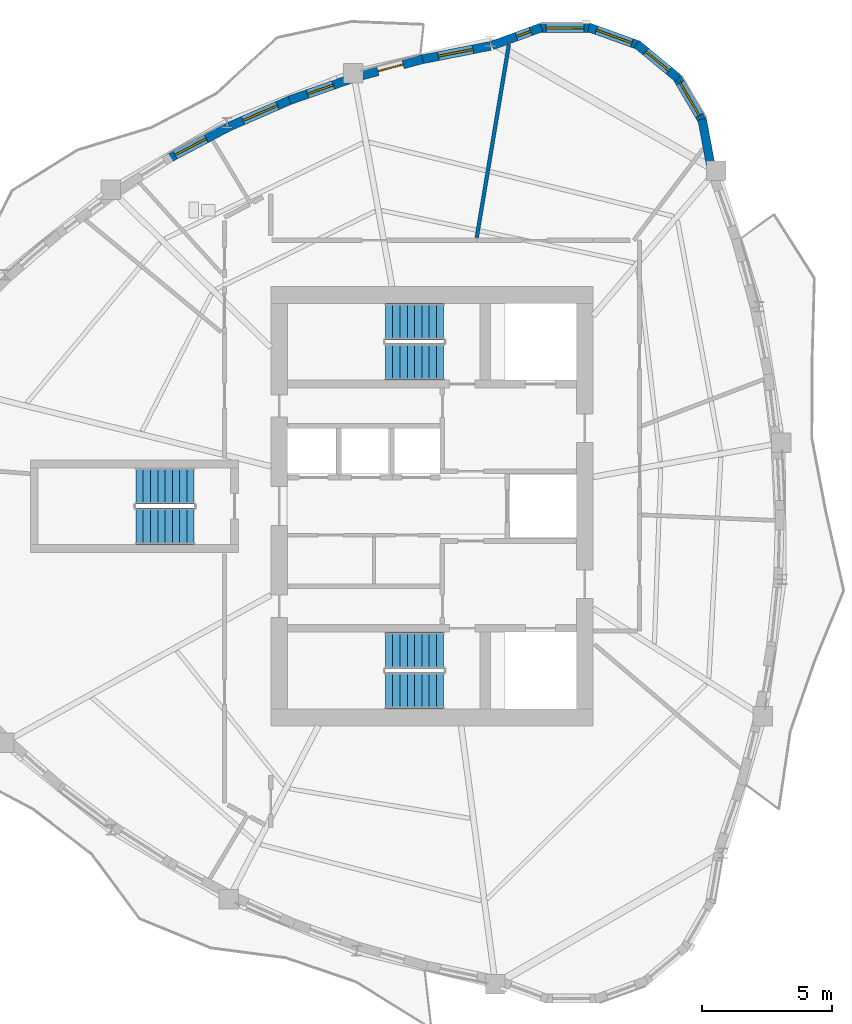
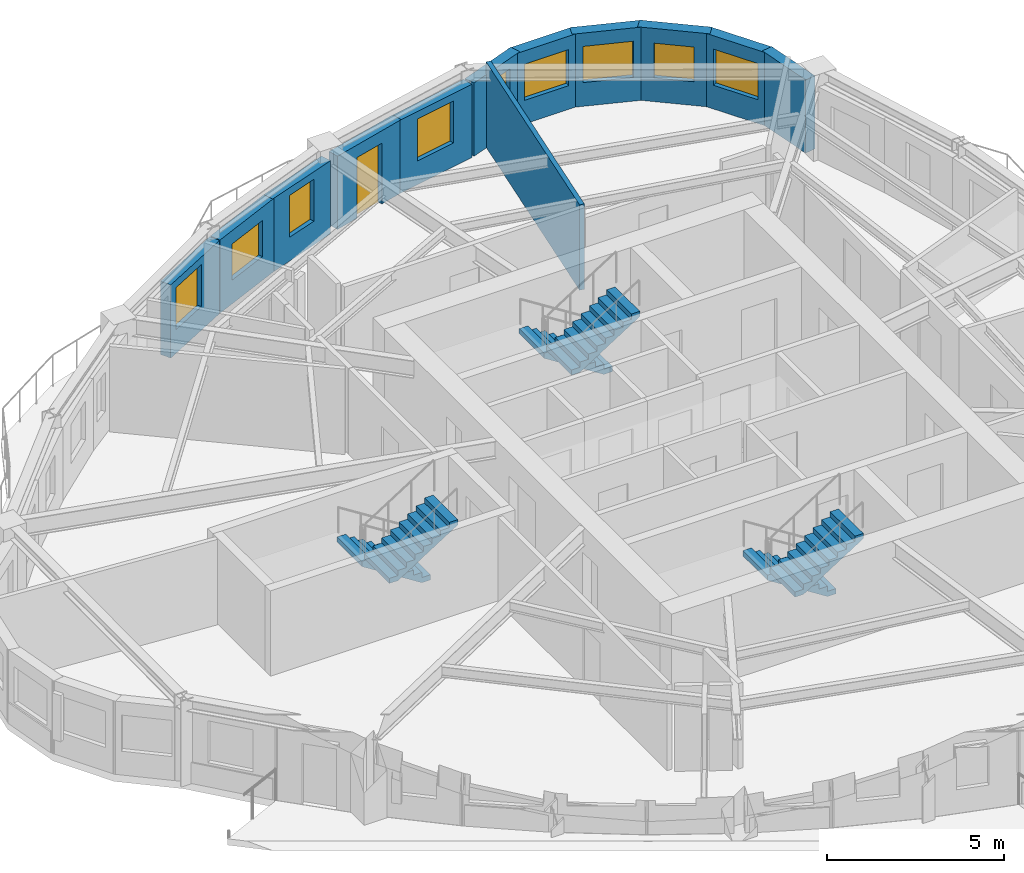
# One storey, part 7 of 11: 12 walls, 9 windows, 6 stair flights, 1 door, 10 openings, 3 elements without a shape of their own.
"""IFC4 building model written with IfcOpenShell, lengths in metres."""

from ifc_helpers import new_model, si_unit, direction, frame, frame_2d, origin, place, context, subcontext, project, spatial, polyline, rectangle, outline, extrude, source, transform, mapped, material, layer, layer_set, type_object, element, fill, aggregate, save


model = new_model("IFC4")

# Units and contexts
model_context = context("Model", 3, precision=1e-05, world=origin(), true_north=direction((0.0, 1.0)))
body_context = subcontext(model_context, "Body", "Model", "MODEL_VIEW")
ifc_project = project(units=[si_unit("LENGTHUNIT", "METRE"), si_unit("AREAUNIT", "SQUARE_METRE"), si_unit("VOLUMEUNIT", "CUBIC_METRE"), si_unit("PLANEANGLEUNIT", "RADIAN"), si_unit("MASSUNIT", "GRAM", prefix="KILO")], contexts=[model_context])

# Site, building, storey
site_placement = place(None, origin())
site = spatial("IfcSite", under=ifc_project, at=site_placement, CompositionType="ELEMENT")
building_placement = place(site_placement, origin())
building = spatial("IfcBuilding", under=site, at=building_placement, Name="Qafzar Sky-Pleat Residences", CompositionType="ELEMENT")
storey_placement = place(building_placement, frame((0.0, 0.0, 165.0)))
storey = spatial("IfcBuildingStorey", under=building, at=storey_placement, Name="L49", CompositionType="ELEMENT", Elevation=165.0)

# Walls
ifc_material_1 = material(Name="Acoustic gypsum plasterboard partition", Category="gypsum")
ifc_layer_1 = layer(ifc_material_1, 0.14501953125)
ifc_layer_set_1 = layer_set([ifc_layer_1], Name="Acoustic gypsum plasterboard partition")
wall_type_1 = type_object("IfcWallType", Name="PART-UNIT-145", PredefinedType="PARTITIONING", material=ifc_layer_set_1)
wall_1_placement = place(storey_placement, frame((32.070556640625, 36.329833984375, 0.0), z_axis=(0.0, 0.0, 1.0), x_axis=(0.164299199522, 0.986410549942, 0.0)))
element("IfcWall", 1, at=wall_1_placement, inside=storey, type_object=wall_type_1, Name="L49 Partition Wall PART-L49-PW-011", PredefinedType="PARTITIONING", context=body_context, shape_type="SweptSolid", body=[
    extrude(rectangle(XDim=7.538330078125, YDim=0.14501953125, at=frame_2d((3.76904296875, 0.0))), origin(), (0.0, 0.0, 1.0), 2.949951171875),
])
ifc_material_2 = material(Name="Precast concrete C40/50 with honed Riyadh limestone", Category="concrete")
ifc_layer_2 = layer(ifc_material_2, 0.340087890625)
ifc_layer_set_2 = layer_set([ifc_layer_2], Name="Precast concrete C40/50 with honed Riyadh limestone")
wall_type_2 = type_object("IfcWallType", Name="WALL-EXT-340", PredefinedType="SOLIDWALL", material=ifc_layer_set_2)
wall_2_placement = place(storey_placement, frame((41.08837890625, 39.02880859375, 0.0), z_axis=(0.0, 0.0, 1.0), x_axis=(-0.18244577317, 0.983215917209, 0.0)))
element("IfcWall", 2, at=wall_2_placement, inside=storey, type_object=wall_type_2, Name="L49 Limestone Facade Wall 33", PredefinedType="SOLIDWALL", context=body_context, shape_type="SweptSolid", body=[
    extrude(rectangle(XDim=1.88818359375, YDim=0.340087890625, at=frame_2d((0.944091796875, 0.0))), origin(), (0.0, 0.0, 1.0), 2.530029296875),
])

# Wall, opening, window
wall_3_placement = place(storey_placement, frame((40.79052734375, 40.760009765625, 0.0), z_axis=(0.0, 0.0, 1.0), x_axis=(-0.506225227923, 0.862401309493, 0.0)))
wall_3 = element("IfcWall", 3, at=wall_3_placement, inside=storey, type_object=wall_type_2, Name="L49 Limestone Facade Wall 34", PredefinedType="SOLIDWALL", context=body_context, shape_type="SweptSolid", body=[
    extrude(rectangle(XDim=2.0810546875, YDim=0.340087890625, at=frame_2d((1.04052734375, 0.0))), origin(), (0.0, 0.0, 1.0), 2.530029296875),
])
opening_1_placement = place(wall_3_placement, frame((0.3154296875, 0.0, 0.820068359375)))
opening_1 = element("IfcOpeningElement", 4, at=opening_1_placement, cuts=wall_3, Name="Opening WN-15", PredefinedType="OPENING", context=body_context, shape_type="SweptSolid", body=[
    extrude(rectangle(XDim=1.449951171875, YDim=1.25, at=frame_2d((0.72509765625, 0.625))), frame((0.0, 0.18017578125, 0.0), z_axis=(0.0, -1.0, 0.0), x_axis=(1.0, 0.0, 0.0)), (0.0, 0.0, 1.0), 0.360107421875),
])
ifc_material_3 = material(Name="Solar-control low-E glass in bronze aluminium frame", Category="glass")
window_type_1 = type_object("IfcWindowType", Name="WIN-15", PartitioningType="SINGLE_PANEL", PredefinedType="WINDOW", material=ifc_material_3)
shared_shape_1 = source(origin(), body_context, "Body", "SweptSolid", [
    extrude(rectangle(XDim=1.449951171875, YDim=1.25, at=frame_2d((0.72509765625, 0.625))), frame((0.0, 0.030029296875, 0.0), z_axis=(0.0, -1.0, 0.0), x_axis=(1.0, 0.0, 0.0)), (0.0, 0.0, 1.0), 0.06005859375),
])
window_1_placement = place(opening_1_placement, origin())
window_1 = element("IfcWindow", 5, at=window_1_placement, inside=storey, type_object=window_type_1, Name="L49 Punched Facade Window 34", OverallHeight=1.25, OverallWidth=1.449951171875, PartitioningType="SINGLE_PANEL", PredefinedType="WINDOW", context=body_context, shape_type="MappedRepresentation", body=[
    mapped(shared_shape_1, transform((0.0, 0.0, 0.0), x_axis=(1.0, 0.0, 0.0), y_axis=(0.0, 1.0, 0.0), z_axis=(0.0, 0.0, 1.0), scale=1.0)),
])
fill(opening_1, window_1)

wall_4_placement = place(storey_placement, frame((39.823486328125, 42.452880859375, 0.0), z_axis=(0.0, 0.0, 1.0), x_axis=(-0.769690471148, 0.63841724493, 0.0)))
wall_4 = element("IfcWall", 6, at=wall_4_placement, inside=storey, type_object=wall_type_2, Name="L49 Limestone Facade Wall 35", PredefinedType="SOLIDWALL", context=body_context, shape_type="SweptSolid", body=[
    extrude(rectangle(XDim=2.0810546875, YDim=0.340087890625, at=frame_2d((1.04052734375, 0.0))), origin(), (0.0, 0.0, 1.0), 2.530029296875),
])
opening_2_placement = place(wall_4_placement, frame((0.465576171875, 0.0, 0.820068359375)))
opening_2 = element("IfcOpeningElement", 7, at=opening_2_placement, cuts=wall_4, Name="Opening WN-16", PredefinedType="OPENING", context=body_context, shape_type="SweptSolid", body=[
    extrude(rectangle(XDim=1.14990234375, YDim=1.199951171875, at=frame_2d((0.574951171875, 0.60009765625))), frame((0.0, 0.18017578125, 0.0), z_axis=(0.0, -1.0, 0.0), x_axis=(1.0, 0.0, 0.0)), (0.0, 0.0, 1.0), 0.360107421875),
])
window_type_2 = type_object("IfcWindowType", Name="WIN-16", PartitioningType="SINGLE_PANEL", PredefinedType="WINDOW", material=ifc_material_3)
shared_shape_2 = source(origin(), body_context, "Body", "SweptSolid", [
    extrude(rectangle(XDim=1.14990234375, YDim=1.199951171875, at=frame_2d((0.574951171875, 0.60009765625))), frame((0.0, 0.030029296875, 0.0), z_axis=(0.0, -1.0, 0.0), x_axis=(1.0, 0.0, 0.0)), (0.0, 0.0, 1.0), 0.06005859375),
])
window_2_placement = place(opening_2_placement, origin())
window_2 = element("IfcWindow", 8, at=window_2_placement, inside=storey, type_object=window_type_2, Name="L49 Punched Facade Window 35", OverallHeight=1.199951171875, OverallWidth=1.14990234375, PartitioningType="SINGLE_PANEL", PredefinedType="WINDOW", context=body_context, shape_type="MappedRepresentation", body=[
    mapped(shared_shape_2, transform((0.0, 0.0, 0.0), x_axis=(1.0, 0.0, 0.0), y_axis=(0.0, 1.0, 0.0), z_axis=(0.0, 0.0, 1.0), scale=1.0)),
])
fill(opening_2, window_2)

wall_5_placement = place(storey_placement, frame((38.337890625, 43.71533203125, 0.0), z_axis=(0.0, 0.0, 1.0), x_axis=(-0.941071215914, 0.338208466153, 0.0)))
wall_5 = element("IfcWall", 9, at=wall_5_placement, inside=storey, type_object=wall_type_2, Name="L49 Limestone Facade Wall 36", PredefinedType="SOLIDWALL", context=body_context, shape_type="SweptSolid", body=[
    extrude(rectangle(XDim=2.0810546875, YDim=0.340087890625, at=frame_2d((1.04052734375, 0.0))), origin(), (0.0, 0.0, 1.0), 2.530029296875),
])
opening_3_placement = place(wall_5_placement, frame((0.3154296875, 0.0, 0.820068359375)))
opening_3 = element("IfcOpeningElement", 10, at=opening_3_placement, cuts=wall_5, Name="Opening WN-15", PredefinedType="OPENING", context=body_context, shape_type="SweptSolid", body=[
    extrude(rectangle(XDim=1.449951171875, YDim=1.25, at=frame_2d((0.72509765625, 0.625))), frame((0.0, 0.18017578125, 0.0), z_axis=(0.0, -1.0, 0.0), x_axis=(1.0, 0.0, 0.0)), (0.0, 0.0, 1.0), 0.360107421875),
])
window_3_placement = place(opening_3_placement, origin())
window_3 = element("IfcWindow", 11, at=window_3_placement, inside=storey, type_object=window_type_1, Name="L49 Punched Facade Window 36", OverallHeight=1.25, OverallWidth=1.449951171875, PartitioningType="SINGLE_PANEL", PredefinedType="WINDOW", context=body_context, shape_type="MappedRepresentation", body=[
    mapped(shared_shape_1, transform((0.0, 0.0, 0.0), x_axis=(1.0, 0.0, 0.0), y_axis=(0.0, 1.0, 0.0), z_axis=(0.0, 0.0, 1.0), scale=1.0)),
])
fill(opening_3, window_3)

wall_6_placement = place(storey_placement, frame((36.510986328125, 44.396484375, 0.0), z_axis=(0.0, 0.0, 1.0), x_axis=(-0.999996965272, -0.002463624621, 0.0)))
wall_6 = element("IfcWall", 12, at=wall_6_placement, inside=storey, type_object=wall_type_2, Name="L49 Limestone Facade Wall 37", PredefinedType="SOLIDWALL", context=body_context, shape_type="SweptSolid", body=[
    extrude(rectangle(XDim=2.0810546875, YDim=0.340087890625, at=frame_2d((1.04052734375, 0.0))), origin(), (0.0, 0.0, 1.0), 2.530029296875),
])
opening_4_placement = place(wall_6_placement, frame((0.315673828125, 0.0, 0.820068359375)))
opening_4 = element("IfcOpeningElement", 13, at=opening_4_placement, cuts=wall_6, Name="Opening WN-15", PredefinedType="OPENING", context=body_context, shape_type="SweptSolid", body=[
    extrude(rectangle(XDim=1.449951171875, YDim=1.25, at=frame_2d((0.72509765625, 0.625))), frame((0.0, 0.18017578125, 0.0), z_axis=(0.0, -1.0, 0.0), x_axis=(1.0, 0.0, 0.0)), (0.0, 0.0, 1.0), 0.360107421875),
])
window_4_placement = place(opening_4_placement, origin())
window_4 = element("IfcWindow", 14, at=window_4_placement, inside=storey, type_object=window_type_1, Name="L49 Punched Facade Window 37", OverallHeight=1.25, OverallWidth=1.449951171875, PartitioningType="SINGLE_PANEL", PredefinedType="WINDOW", context=body_context, shape_type="MappedRepresentation", body=[
    mapped(shared_shape_1, transform((0.0, 0.0, 0.0), x_axis=(1.0, 0.0, 0.0), y_axis=(0.0, 1.0, 0.0), z_axis=(0.0, 0.0, 1.0), scale=1.0)),
])
fill(opening_4, window_4)

wall_7_placement = place(storey_placement, frame((34.5615234375, 44.414794921875, 0.0), z_axis=(0.0, 0.0, 1.0), x_axis=(-0.939426417976, -0.342750645819, 0.0)))
wall_7 = element("IfcWall", 15, at=wall_7_placement, inside=storey, type_object=wall_type_2, Name="L49 Limestone Facade Wall 38", PredefinedType="SOLIDWALL", context=body_context, shape_type="SweptSolid", body=[
    extrude(rectangle(XDim=2.02294921875, YDim=0.340087890625, at=frame_2d((1.011474609375, 0.0))), origin(), (0.0, 0.0, 1.0), 2.530029296875),
])
opening_5_placement = place(wall_7_placement, frame((0.443603515625, 0.0, 0.820068359375)))
opening_5 = element("IfcOpeningElement", 16, at=opening_5_placement, cuts=wall_7, Name="Opening WN-17", PredefinedType="OPENING", context=body_context, shape_type="SweptSolid", body=[
    extrude(rectangle(XDim=0.580078125, YDim=1.35009765625, at=frame_2d((0.2900390625, 0.675048828125))), frame((0.0, 0.18017578125, 0.0), z_axis=(0.0, -1.0, 0.0), x_axis=(1.0, 0.0, 0.0)), (0.0, 0.0, 1.0), 0.360107421875),
])
window_type_3 = type_object("IfcWindowType", Name="WIN-17", PartitioningType="SINGLE_PANEL", PredefinedType="WINDOW", material=ifc_material_3)
shared_shape_3 = source(origin(), body_context, "Body", "SweptSolid", [
    extrude(rectangle(XDim=0.580078125, YDim=1.35009765625, at=frame_2d((0.2900390625, 0.675048828125))), frame((0.0, 0.030029296875, 0.0), z_axis=(0.0, -1.0, 0.0), x_axis=(1.0, 0.0, 0.0)), (0.0, 0.0, 1.0), 0.06005859375),
])
window_5_placement = place(opening_5_placement, origin())
window_5 = element("IfcWindow", 17, at=window_5_placement, inside=storey, type_object=window_type_3, Name="L49 Punched Facade Window 38", OverallHeight=1.35009765625, OverallWidth=0.580078125, PartitioningType="SINGLE_PANEL", PredefinedType="WINDOW", context=body_context, shape_type="MappedRepresentation", body=[
    mapped(shared_shape_3, transform((0.0, 0.0, 0.0), x_axis=(1.0, 0.0, 0.0), y_axis=(0.0, 1.0, 0.0), z_axis=(0.0, 0.0, 1.0), scale=1.0)),
])
fill(opening_5, window_5)

wall_8_placement = place(storey_placement, frame((32.59716796875, 43.70361328125, 0.0), z_axis=(0.0, 0.0, 1.0), x_axis=(-0.981214876679, -0.192918028667, 0.0)))
wall_8 = element("IfcWall", 18, at=wall_8_placement, inside=storey, type_object=wall_type_2, Name="L49 Limestone Facade Wall 39", PredefinedType="SOLIDWALL", context=body_context, shape_type="SweptSolid", body=[
    extrude(rectangle(XDim=2.74609375, YDim=0.340087890625, at=frame_2d((1.373046875, 0.0))), origin(), (0.0, 0.0, 1.0), 2.530029296875),
])
opening_6_placement = place(wall_8_placement, frame((0.68798828125, 0.0, 0.820068359375)))
opening_6 = element("IfcOpeningElement", 19, at=opening_6_placement, cuts=wall_8, Name="Opening WN-04", PredefinedType="OPENING", context=body_context, shape_type="SweptSolid", body=[
    extrude(rectangle(XDim=1.35009765625, YDim=1.449951171875, at=frame_2d((0.675048828125, 0.72509765625))), frame((0.0, 0.18017578125, 0.0), z_axis=(0.0, -1.0, 0.0), x_axis=(1.0, 0.0, 0.0)), (0.0, 0.0, 1.0), 0.360107421875),
])
window_type_4 = type_object("IfcWindowType", Name="WIN-04", PartitioningType="SINGLE_PANEL", PredefinedType="WINDOW", material=ifc_material_3)
shared_shape_4 = source(origin(), body_context, "Body", "SweptSolid", [
    extrude(rectangle(XDim=1.35009765625, YDim=1.449951171875, at=frame_2d((0.675048828125, 0.72509765625))), frame((0.0, 0.030029296875, 0.0), z_axis=(0.0, -1.0, 0.0), x_axis=(1.0, 0.0, 0.0)), (0.0, 0.0, 1.0), 0.06005859375),
])
window_6_placement = place(opening_6_placement, origin())
window_6 = element("IfcWindow", 20, at=window_6_placement, inside=storey, type_object=window_type_4, Name="L49 Punched Facade Window 39", OverallHeight=1.449951171875, OverallWidth=1.35009765625, PartitioningType="SINGLE_PANEL", PredefinedType="WINDOW", context=body_context, shape_type="MappedRepresentation", body=[
    mapped(shared_shape_4, transform((0.0, 0.0, 0.0), x_axis=(1.0, 0.0, 0.0), y_axis=(0.0, 1.0, 0.0), z_axis=(0.0, 0.0, 1.0), scale=1.0)),
])
fill(opening_6, window_6)

# Wall, opening, door
wall_9_placement = place(storey_placement, frame((29.988037109375, 43.19384765625, 0.0), z_axis=(0.0, 0.0, 1.0), x_axis=(-0.965459623591, -0.26055271101, 0.0)))
wall_9 = element("IfcWall", 21, at=wall_9_placement, inside=storey, type_object=wall_type_2, Name="L49 Limestone Facade Wall 40", PredefinedType="SOLIDWALL", context=body_context, shape_type="SweptSolid", body=[
    extrude(rectangle(XDim=2.55419921875, YDim=0.340087890625, at=frame_2d((1.277099609375, 0.0))), origin(), (0.0, 0.0, 1.0), 2.530029296875),
])
opening_7_placement = place(wall_9_placement, frame((0.777099609375, 0.0, 0.0)))
opening_7 = element("IfcOpeningElement", 22, at=opening_7_placement, cuts=wall_9, Name="Opening ED-05", PredefinedType="OPENING", context=body_context, shape_type="SweptSolid", body=[
    extrude(rectangle(XDim=1.0, YDim=2.10009765625, at=frame_2d((0.5, 1.050048828125))), frame((0.0, 0.18017578125, 0.0), z_axis=(0.0, -1.0, 0.0), x_axis=(1.0, 0.0, 0.0)), (0.0, 0.0, 1.0), 0.360107421875),
])
ifc_material_4 = material(Name="Glazed bronze aluminium door", Category="aluminium")
door_type = type_object("IfcDoorType", Name="DR-BAL-1000", OperationType="NOTDEFINED", PredefinedType="DOOR", material=ifc_material_4)
shared_shape_5 = source(origin(), body_context, "Body", "SweptSolid", [
    extrude(rectangle(XDim=1.0, YDim=2.10009765625, at=frame_2d((0.5, 1.050048828125))), frame((0.0, 0.02490234375, 0.0), z_axis=(0.0, -1.0, 0.0), x_axis=(1.0, 0.0, 0.0)), (0.0, 0.0, 1.0), 0.050048828125),
])
door_placement = place(opening_7_placement, origin())
door = element("IfcDoor", 23, at=door_placement, inside=storey, type_object=door_type, Name="L49 Glazed Balcony Door 2", OperationType="SINGLE_SWING_LEFT", OverallHeight=2.10009765625, OverallWidth=1.0, PredefinedType="DOOR", context=body_context, shape_type="MappedRepresentation", body=[
    mapped(shared_shape_5, transform((0.0, 0.0, 0.0), x_axis=(1.0, 0.0, 0.0), y_axis=(0.0, 1.0, 0.0), z_axis=(0.0, 0.0, 1.0), scale=1.0)),
])
fill(opening_7, door)

# Wall, opening, window
wall_10_placement = place(storey_placement, frame((27.23779296875, 42.4404296875, 0.0), z_axis=(0.0, 0.0, 1.0), x_axis=(-0.944135459374, -0.329557634341, 0.0)))
wall_10 = element("IfcWall", 24, at=wall_10_placement, inside=storey, type_object=wall_type_2, Name="L49 Limestone Facade Wall 41", PredefinedType="SOLIDWALL", context=body_context, shape_type="SweptSolid", body=[
    extrude(rectangle(XDim=2.510498046875, YDim=0.340087890625, at=frame_2d((1.25537109375, 0.0))), origin(), (0.0, 0.0, 1.0), 2.530029296875),
])
opening_8_placement = place(wall_10_placement, frame((0.72509765625, 0.0, 0.820068359375)))
opening_8 = element("IfcOpeningElement", 25, at=opening_8_placement, cuts=wall_10, Name="Opening WN-06", PredefinedType="OPENING", context=body_context, shape_type="SweptSolid", body=[
    extrude(rectangle(XDim=1.050048828125, YDim=1.449951171875, at=frame_2d((0.52490234375, 0.72509765625))), frame((0.0, 0.18017578125, 0.0), z_axis=(0.0, -1.0, 0.0), x_axis=(1.0, 0.0, 0.0)), (0.0, 0.0, 1.0), 0.360107421875),
])
window_type_5 = type_object("IfcWindowType", Name="WIN-06", PartitioningType="SINGLE_PANEL", PredefinedType="WINDOW", material=ifc_material_3)
shared_shape_6 = source(origin(), body_context, "Body", "SweptSolid", [
    extrude(rectangle(XDim=1.050048828125, YDim=1.449951171875, at=frame_2d((0.52490234375, 0.72509765625))), frame((0.0, 0.030029296875, 0.0), z_axis=(0.0, -1.0, 0.0), x_axis=(1.0, 0.0, 0.0)), (0.0, 0.0, 1.0), 0.06005859375),
])
window_7_placement = place(opening_8_placement, origin())
window_7 = element("IfcWindow", 26, at=window_7_placement, inside=storey, type_object=window_type_5, Name="L49 Punched Facade Window 41", OverallHeight=1.449951171875, OverallWidth=1.050048828125, PartitioningType="SINGLE_PANEL", PredefinedType="WINDOW", context=body_context, shape_type="MappedRepresentation", body=[
    mapped(shared_shape_6, transform((0.0, 0.0, 0.0), x_axis=(1.0, 0.0, 0.0), y_axis=(0.0, 1.0, 0.0), z_axis=(0.0, 0.0, 1.0), scale=1.0)),
])
fill(opening_8, window_7)

wall_11_placement = place(storey_placement, frame((24.949951171875, 41.645263671875, 0.0), z_axis=(0.0, 0.0, 1.0), x_axis=(-0.917090826553, -0.398678336322, 0.0)))
wall_11 = element("IfcWall", 27, at=wall_11_placement, inside=storey, type_object=wall_type_2, Name="L49 Limestone Facade Wall 42", PredefinedType="SOLIDWALL", context=body_context, shape_type="SweptSolid", body=[
    extrude(rectangle(XDim=2.615966796875, YDim=0.340087890625, at=frame_2d((1.30810546875, 0.0))), origin(), (0.0, 0.0, 1.0), 2.530029296875),
])
opening_9_placement = place(wall_11_placement, frame((0.593017578125, 0.0, 0.820068359375)))
opening_9 = element("IfcOpeningElement", 28, at=opening_9_placement, cuts=wall_11, Name="Opening WN-15", PredefinedType="OPENING", context=body_context, shape_type="SweptSolid", body=[
    extrude(rectangle(XDim=1.449951171875, YDim=1.25, at=frame_2d((0.72509765625, 0.625))), frame((0.0, 0.18017578125, 0.0), z_axis=(0.0, -1.0, 0.0), x_axis=(1.0, 0.0, 0.0)), (0.0, 0.0, 1.0), 0.360107421875),
])
window_8_placement = place(opening_9_placement, origin())
window_8 = element("IfcWindow", 29, at=window_8_placement, inside=storey, type_object=window_type_1, Name="L49 Punched Facade Window 42", OverallHeight=1.25, OverallWidth=1.449951171875, PartitioningType="SINGLE_PANEL", PredefinedType="WINDOW", context=body_context, shape_type="MappedRepresentation", body=[
    mapped(shared_shape_1, transform((0.0, 0.0, 0.0), x_axis=(1.0, 0.0, 0.0), y_axis=(0.0, 1.0, 0.0), z_axis=(0.0, 0.0, 1.0), scale=1.0)),
])
fill(opening_9, window_8)

wall_12_placement = place(storey_placement, frame((22.5263671875, 40.590576171875, 0.0), z_axis=(0.0, 0.0, 1.0), x_axis=(-0.884394438343, -0.46674026763, 0.0)))
wall_12 = element("IfcWall", 30, at=wall_12_placement, inside=storey, type_object=wall_type_2, Name="L49 Limestone Facade Wall 43", PredefinedType="SOLIDWALL", context=body_context, shape_type="SweptSolid", body=[
    extrude(rectangle(XDim=2.601318359375, YDim=0.340087890625, at=frame_2d((1.30078125, 0.0))), origin(), (0.0, 0.0, 1.0), 2.530029296875),
])
opening_10_placement = place(wall_12_placement, frame((0.976806640625, 0.0, 0.820068359375)))
opening_10 = element("IfcOpeningElement", 31, at=opening_10_placement, cuts=wall_12, Name="Opening WN-04", PredefinedType="OPENING", context=body_context, shape_type="SweptSolid", body=[
    extrude(rectangle(XDim=1.35009765625, YDim=1.449951171875, at=frame_2d((0.675048828125, 0.72509765625))), frame((0.0, 0.18017578125, 0.0), z_axis=(0.0, -1.0, 0.0), x_axis=(1.0, 0.0, 0.0)), (0.0, 0.0, 1.0), 0.360107421875),
])
window_9_placement = place(opening_10_placement, origin())
window_9 = element("IfcWindow", 32, at=window_9_placement, inside=storey, type_object=window_type_4, Name="L49 Punched Facade Window 43-2", OverallHeight=1.449951171875, OverallWidth=1.35009765625, PartitioningType="SINGLE_PANEL", PredefinedType="WINDOW", context=body_context, shape_type="MappedRepresentation", body=[
    mapped(shared_shape_4, transform((0.0, 0.0, 0.0), x_axis=(1.0, 0.0, 0.0), y_axis=(0.0, 1.0, 0.0), z_axis=(0.0, 0.0, 1.0), scale=1.0)),
])
fill(opening_10, window_9)

# Stair, stair flights
ifc_material_5 = material(Name="Concrete C40/50", Category="concrete")
stair_type = type_object("IfcStairType", Name="STAIR-H320", PredefinedType="HALF_TURN_STAIR", material=ifc_material_5)
stair_1_placement = place(storey_placement, origin())
stair_1 = element("IfcStair", 33, at=stair_1_placement, inside=storey, type_object=stair_type, Name="L49 Protected Exit Stair ST1", PredefinedType="HALF_TURN_STAIR")
stair_flight_type = type_object("IfcStairFlightType", Name="FLIGHT-H320", PredefinedType="STRAIGHT", material=ifc_material_5)
shared_shape_7 = source(origin(), body_context, "Body", "SweptSolid", [
    extrude(outline(polyline([(0.0, 0.0), (0.0, 0.177734375), (0.280029296875, 0.177734375), (0.280029296875, 0.35546875), (0.56005859375, 0.35546875), (0.56005859375, 0.533447265625), (0.840087890625, 0.533447265625), (0.840087890625, 0.711181640625), (1.1201171875, 0.711181640625), (1.1201171875, 0.888916015625), (1.39990234375, 0.888916015625), (1.39990234375, 1.066650390625), (1.679931640625, 1.066650390625), (1.679931640625, 1.244384765625), (1.9599609375, 1.244384765625), (1.9599609375, 1.422119140625), (2.239990234375, 1.422119140625), (2.239990234375, 1.60009765625), (2.239990234375, 1.24462890625), (0.27978515625, 0.0), (0.0, 0.0)])), frame((0.0, 0.699951171875, 0.0), z_axis=(0.0, -1.0, 0.0), x_axis=(1.0, 0.0, 0.0)), (0.0, 0.0, 1.0), 1.39990234375),
])
stair_flight_1_placement = place(storey_placement, frame((30.800048828125, 20.449951171875, 0.0), z_axis=(0.0, 0.0, 1.0), x_axis=(-1.0, 0.0, 0.0)))
stair_flight_1 = element("IfcStairFlight", 34, at=stair_flight_1_placement, type_object=stair_flight_type, Name="ST1 flight 1", NumberOfRisers=9, NumberOfTreads=8, PredefinedType="STRAIGHT", RiserHeight=0.177777778, TreadLength=0.28, context=body_context, shape_type="MappedRepresentation", body=[
    mapped(shared_shape_7, transform((0.0, 0.0, 0.0), x_axis=(1.0, 0.0, 0.0), y_axis=(0.0, 1.0, 0.0), z_axis=(0.0, 0.0, 1.0), scale=1.0)),
])
stair_flight_2_placement = place(storey_placement, frame((28.56005859375, 18.89990234375, 1.60009765625), z_axis=(0.0, 0.0, 1.0), x_axis=(1.0, 0.0, 0.0)))
stair_flight_2 = element("IfcStairFlight", 35, at=stair_flight_2_placement, type_object=stair_flight_type, Name="ST1 flight 2", NumberOfRisers=9, NumberOfTreads=8, PredefinedType="STRAIGHT", RiserHeight=0.177777778, TreadLength=0.28, context=body_context, shape_type="MappedRepresentation", body=[
    mapped(shared_shape_7, transform((0.0, 0.0, 0.0), x_axis=(1.0, 0.0, 0.0), y_axis=(0.0, 1.0, 0.0), z_axis=(0.0, 0.0, 1.0), scale=1.0)),
])
aggregate(stair_1, [stair_flight_1, stair_flight_2])

stair_2_placement = place(storey_placement, origin())
stair_2 = element("IfcStair", 36, at=stair_2_placement, inside=storey, type_object=stair_type, Name="L49 Protected Exit Stair ST2", PredefinedType="HALF_TURN_STAIR")
stair_flight_3_placement = place(storey_placement, frame((30.800048828125, 33.10009765625, 0.0), z_axis=(0.0, 0.0, 1.0), x_axis=(-1.0, 0.0, 0.0)))
stair_flight_3 = element("IfcStairFlight", 37, at=stair_flight_3_placement, type_object=stair_flight_type, Name="ST2 flight 1", NumberOfRisers=9, NumberOfTreads=8, PredefinedType="STRAIGHT", RiserHeight=0.177777778, TreadLength=0.28, context=body_context, shape_type="MappedRepresentation", body=[
    mapped(shared_shape_7, transform((0.0, 0.0, 0.0), x_axis=(1.0, 0.0, 0.0), y_axis=(0.0, 1.0, 0.0), z_axis=(0.0, 0.0, 1.0), scale=1.0)),
])
stair_flight_4_placement = place(storey_placement, frame((28.56005859375, 31.550048828125, 1.60009765625), z_axis=(0.0, 0.0, 1.0), x_axis=(1.0, 0.0, 0.0)))
stair_flight_4 = element("IfcStairFlight", 38, at=stair_flight_4_placement, type_object=stair_flight_type, Name="ST2 flight 2", NumberOfRisers=9, NumberOfTreads=8, PredefinedType="STRAIGHT", RiserHeight=0.177777778, TreadLength=0.28, context=body_context, shape_type="MappedRepresentation", body=[
    mapped(shared_shape_7, transform((0.0, 0.0, 0.0), x_axis=(1.0, 0.0, 0.0), y_axis=(0.0, 1.0, 0.0), z_axis=(0.0, 0.0, 1.0), scale=1.0)),
])
aggregate(stair_2, [stair_flight_3, stair_flight_4])

stair_3_placement = place(storey_placement, origin())
stair_3 = element("IfcStair", 39, at=stair_3_placement, inside=storey, type_object=stair_type, Name="L49 Protected Exit Stair ST3", PredefinedType="HALF_TURN_STAIR")
stair_flight_5_placement = place(storey_placement, frame((21.199951171875, 26.77490234375, 0.0), z_axis=(0.0, 0.0, 1.0), x_axis=(-1.0, 0.0, 0.0)))
stair_flight_5 = element("IfcStairFlight", 40, at=stair_flight_5_placement, type_object=stair_flight_type, Name="ST3 flight 1", NumberOfRisers=9, NumberOfTreads=8, PredefinedType="STRAIGHT", RiserHeight=0.177777778, TreadLength=0.28, context=body_context, shape_type="MappedRepresentation", body=[
    mapped(shared_shape_7, transform((0.0, 0.0, 0.0), x_axis=(1.0, 0.0, 0.0), y_axis=(0.0, 1.0, 0.0), z_axis=(0.0, 0.0, 1.0), scale=1.0)),
])
stair_flight_6_placement = place(storey_placement, frame((18.9599609375, 25.22509765625, 1.60009765625), z_axis=(0.0, 0.0, 1.0), x_axis=(1.0, 0.0, 0.0)))
stair_flight_6 = element("IfcStairFlight", 41, at=stair_flight_6_placement, type_object=stair_flight_type, Name="ST3 flight 2", NumberOfRisers=9, NumberOfTreads=8, PredefinedType="STRAIGHT", RiserHeight=0.177777778, TreadLength=0.28, context=body_context, shape_type="MappedRepresentation", body=[
    mapped(shared_shape_7, transform((0.0, 0.0, 0.0), x_axis=(1.0, 0.0, 0.0), y_axis=(0.0, 1.0, 0.0), z_axis=(0.0, 0.0, 1.0), scale=1.0)),
])
aggregate(stair_3, [stair_flight_5, stair_flight_6])

save(model, "model.ifc")
